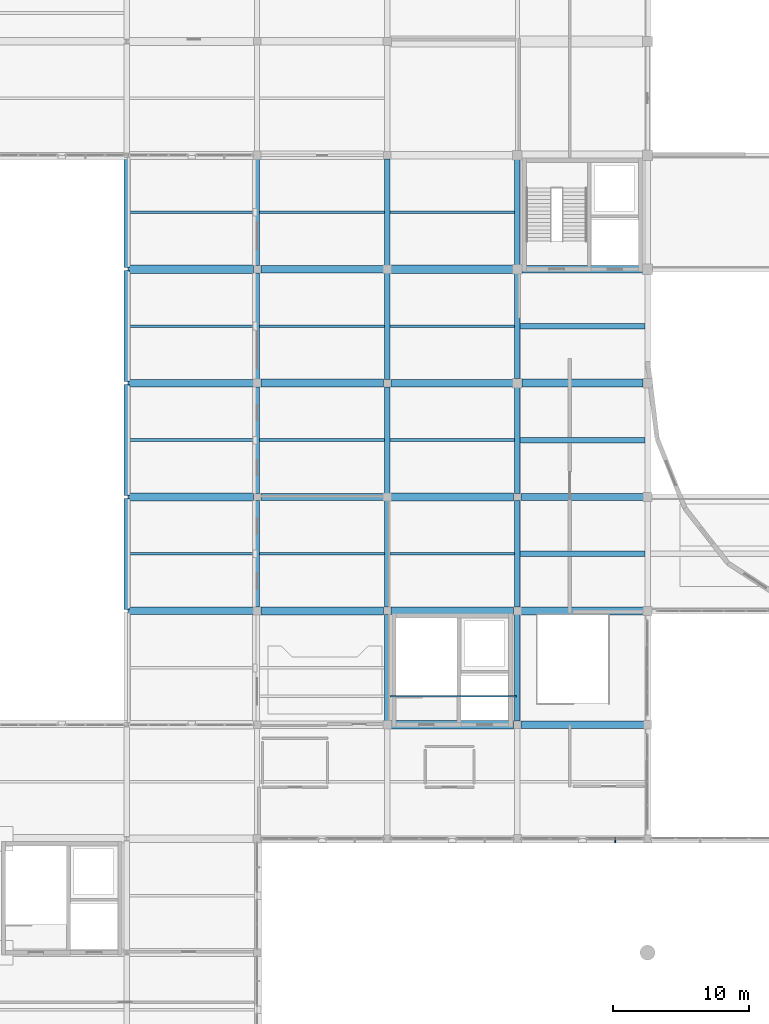
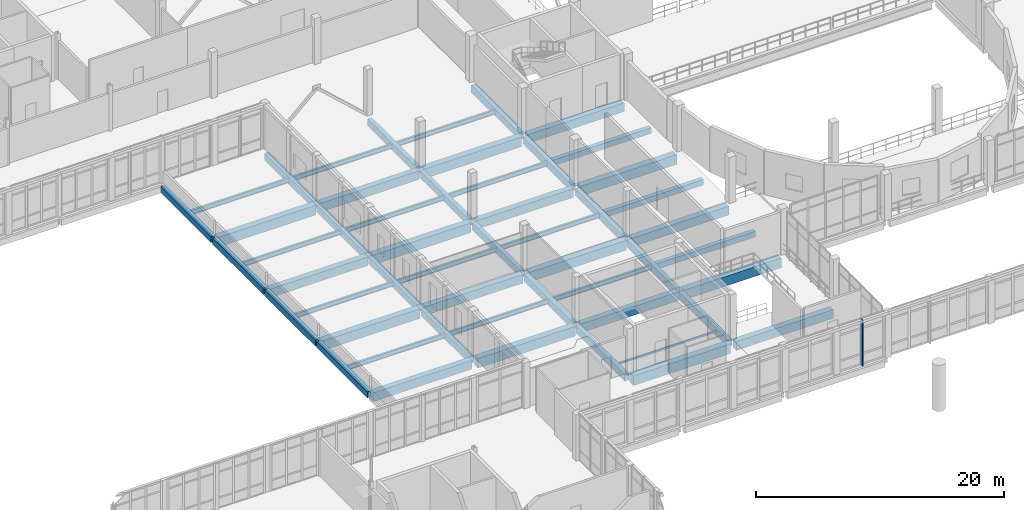
# One storey, part 23 of 88: 52 beams, 1 member, 1 element without a shape of its own.
"""IFC4 building model written with IfcOpenShell, lengths in metres."""

from ifc_helpers import new_model, si_unit, direction, frame, origin, origin_2d, place, context, subcontext, project, spatial, rectangle, hollow_rectangle, i_section, extrude, material, layer, layer_set, material_profile, profile_set, type_object, element, aggregate, save


model = new_model("IFC4")

# Units and contexts
model_context = context("Model", 3, precision=1e-05, world=origin(), true_north=direction((0.0, 1.0)))
body_context = subcontext(model_context, "Body", "Model", "MODEL_VIEW")
ifc_project = project(units=[si_unit("LENGTHUNIT", "METRE"), si_unit("AREAUNIT", "SQUARE_METRE"), si_unit("VOLUMEUNIT", "CUBIC_METRE"), si_unit("PLANEANGLEUNIT", "RADIAN"), si_unit("MASSUNIT", "GRAM", prefix="KILO")], contexts=[model_context])

# Site, building, storey
site_placement = place(None, origin())
site = spatial("IfcSite", under=ifc_project, at=site_placement, CompositionType="ELEMENT")
building_placement = place(site_placement, origin())
building = spatial("IfcBuilding", under=site, at=building_placement, Name="Lornevale Opera House", CompositionType="ELEMENT")
storey_placement = place(building_placement, frame((0.0, 0.0, 10.199951171875)))
storey = spatial("IfcBuildingStorey", under=building, at=storey_placement, Name="L03", CompositionType="ELEMENT", Elevation=10.199951171875)

# Beams
ifc_material_1 = material(Name="Concrete 35 MPa (CSA A23.1 N)", Category="concrete")
ifc_material_profile_1 = material_profile(ifc_material_1, rectangle(XDim=0.39990234375, YDim=0.550048828125, at=origin_2d()), Name="RC400x550")
ifc_profile_set_1 = profile_set([ifc_material_profile_1], Name="Concrete 35 MPa (CSA A23.1 N)")
beam_type_1 = type_object("IfcBeamType", Name="Auditorium Tier Raker Beam 400x550", PredefinedType="JOIST", material=ifc_profile_set_1)
for number, where, z_axis, x_axis, name in (
    (1, (57.800048828125, 37.800048828125, -0.554931640625), (1.0, 0.0, 0.0), (0.0, 1.0, 0.0), "Auditorium Tier Raker Beam 400x550 2407"),
    (2, (57.800048828125, 46.199951171875, -0.554931640625), (1.0, 0.0, 0.0), (0.0, 1.0, 0.0), "Auditorium Tier Raker Beam 400x550 2408"),
    (3, (57.800048828125, 54.60009765625, -0.554931640625), (1.0, 0.0, 0.0), (0.0, 1.0, 0.0), "Auditorium Tier Raker Beam 400x550 2409"),
):
    element("IfcBeam", number, at=place(storey_placement, frame(where, z_axis=z_axis, x_axis=x_axis)), inside=storey, type_object=beam_type_1, Name=name, PredefinedType="JOIST", context=body_context, shape_type="SweptSolid", body=[
        extrude(rectangle(XDim=0.39990234375, YDim=0.550048828125, at=origin_2d()), origin(), (0.0, 0.0, 1.0), 9.199951171875),
    ])
ifc_material_profile_2 = material_profile(ifc_material_1, rectangle(XDim=0.39990234375, YDim=0.699951171875, at=origin_2d()), Name="RC400x700")
ifc_profile_set_2 = profile_set([ifc_material_profile_2], Name="Concrete 35 MPa (CSA A23.1 N)")
beam_type_2 = type_object("IfcBeamType", Name="Concrete Floor Beam 400x700", PredefinedType="USERDEFINED", material=ifc_profile_set_2)
for number, where, z_axis, x_axis, name in (
    (4, (38.39990234375, 33.875, -0.639892578125), (0.0, 1.0, 0.0), (-1.0, 0.0, 0.0), "Concrete Floor Beam 400x700 2261"),
    (5, (38.39990234375, 42.27490234375, -0.639892578125), (0.0, 1.0, 0.0), (-1.0, 0.0, 0.0), "Concrete Floor Beam 400x700 2262"),
):
    element("IfcBeam", number, at=place(storey_placement, frame(where, z_axis=z_axis, x_axis=x_axis)), inside=storey, type_object=beam_type_2, Name=name, ObjectType="GIRDER", PredefinedType="USERDEFINED", context=body_context, shape_type="SweptSolid", body=[
        extrude(rectangle(XDim=0.39990234375, YDim=0.699951171875, at=origin_2d()), origin(), (0.0, 0.0, 1.0), 7.85009765625),
    ])
beam_1_placement = place(storey_placement, frame((38.39990234375, 50.675048828125, -0.639892578125), z_axis=(0.0, 1.0, 0.0), x_axis=(-1.0, 0.0, 0.0)))
element("IfcBeam", 6, at=beam_1_placement, inside=storey, type_object=beam_type_2, Name="Concrete Floor Beam 400x700 2263", ObjectType="GIRDER", PredefinedType="USERDEFINED", context=body_context, shape_type="SweptSolid", body=[
    extrude(rectangle(XDim=0.39990234375, YDim=0.699951171875, at=origin_2d()), origin(), (0.0, 0.0, 1.0), 7.849853515625),
])
beam_2_placement = place(storey_placement, frame((38.39990234375, 59.074951171875, -0.639892578125), z_axis=(0.0, 1.0, 0.0), x_axis=(-1.0, 0.0, 0.0)))
element("IfcBeam", 7, at=beam_2_placement, inside=storey, type_object=beam_type_2, Name="Concrete Floor Beam 400x700 2264", ObjectType="GIRDER", PredefinedType="USERDEFINED", context=body_context, shape_type="SweptSolid", body=[
    extrude(rectangle(XDim=0.39990234375, YDim=0.699951171875, at=origin_2d()), origin(), (0.0, 0.0, 1.0), 7.85009765625),
])
beam_3_placement = place(storey_placement, frame((48.0, 25.47509765625, -0.6298828125), z_axis=(0.0, 1.0, 0.0), x_axis=(-1.0, 0.0, 0.0)))
element("IfcBeam", 8, at=beam_3_placement, inside=storey, type_object=beam_type_2, Name="Concrete Floor Beam 400x700 2270", ObjectType="GIRDER", PredefinedType="USERDEFINED", context=body_context, shape_type="SweptSolid", body=[
    extrude(rectangle(XDim=0.39990234375, YDim=0.699951171875, at=origin_2d()), origin(), (0.0, 0.0, 1.0), 7.849853515625),
])
for number, where, z_axis, x_axis, name in (
    (9, (48.0, 33.875, -0.6298828125), (0.0, 1.0, 0.0), (-1.0, 0.0, 0.0), "Concrete Floor Beam 400x700 2271"),
    (10, (48.0, 42.27490234375, -0.6298828125), (0.0, 1.0, 0.0), (-1.0, 0.0, 0.0), "Concrete Floor Beam 400x700 2272"),
):
    element("IfcBeam", number, at=place(storey_placement, frame(where, z_axis=z_axis, x_axis=x_axis)), inside=storey, type_object=beam_type_2, Name=name, ObjectType="GIRDER", PredefinedType="USERDEFINED", context=body_context, shape_type="SweptSolid", body=[
        extrude(rectangle(XDim=0.39990234375, YDim=0.699951171875, at=origin_2d()), origin(), (0.0, 0.0, 1.0), 7.85009765625),
    ])
beam_4_placement = place(storey_placement, frame((48.0, 50.675048828125, -0.6298828125), z_axis=(0.0, 1.0, 0.0), x_axis=(-1.0, 0.0, 0.0)))
element("IfcBeam", 11, at=beam_4_placement, inside=storey, type_object=beam_type_2, Name="Concrete Floor Beam 400x700 2273", ObjectType="GIRDER", PredefinedType="USERDEFINED", context=body_context, shape_type="SweptSolid", body=[
    extrude(rectangle(XDim=0.39990234375, YDim=0.699951171875, at=origin_2d()), origin(), (0.0, 0.0, 1.0), 7.849853515625),
])
beam_5_placement = place(storey_placement, frame((48.0, 59.074951171875, -0.6298828125), z_axis=(0.0, 1.0, 0.0), x_axis=(-1.0, 0.0, 0.0)))
element("IfcBeam", 12, at=beam_5_placement, inside=storey, type_object=beam_type_2, Name="Concrete Floor Beam 400x700 2274", ObjectType="GIRDER", PredefinedType="USERDEFINED", context=body_context, shape_type="SweptSolid", body=[
    extrude(rectangle(XDim=0.39990234375, YDim=0.699951171875, at=origin_2d()), origin(), (0.0, 0.0, 1.0), 7.85009765625),
])
beam_6_placement = place(storey_placement, frame((57.60009765625, 25.47509765625, -0.6298828125), z_axis=(0.0, 1.0, 0.0), x_axis=(-1.0, 0.0, 0.0)))
element("IfcBeam", 13, at=beam_6_placement, inside=storey, type_object=beam_type_2, Name="Concrete Floor Beam 400x700 2280", ObjectType="GIRDER", PredefinedType="USERDEFINED", context=body_context, shape_type="SweptSolid", body=[
    extrude(rectangle(XDim=0.39990234375, YDim=0.699951171875, at=origin_2d()), origin(), (0.0, 0.0, 1.0), 7.849853515625),
])
beam_7_placement = place(storey_placement, frame((57.60009765625, 33.875, -0.6298828125), z_axis=(0.0, 1.0, 0.0), x_axis=(-1.0, 0.0, 0.0)))
element("IfcBeam", 14, at=beam_7_placement, inside=storey, type_object=beam_type_2, Name="Concrete Floor Beam 400x700 2281", ObjectType="GIRDER", PredefinedType="USERDEFINED", context=body_context, shape_type="SweptSolid", body=[
    extrude(rectangle(XDim=0.39990234375, YDim=0.699951171875, at=origin_2d()), origin(), (0.0, 0.0, 1.0), 7.85009765625),
])
beam_8_placement = place(storey_placement, frame((57.60009765625, 42.27490234375, -0.6298828125), z_axis=(0.0, 1.0, 0.0), x_axis=(-1.0, 0.0, 0.0)))
element("IfcBeam", 15, at=beam_8_placement, inside=storey, type_object=beam_type_2, Name="Concrete Floor Beam 400x700 2282", ObjectType="GIRDER", PredefinedType="USERDEFINED", context=body_context, shape_type="SweptSolid", body=[
    extrude(rectangle(XDim=0.39990234375, YDim=0.699951171875, at=origin_2d()), origin(), (0.0, 0.0, 1.0), 7.800048828125),
])
for number, where, z_axis, x_axis, name in (
    (16, (57.60009765625, 50.72509765625, -0.6298828125), (0.0, 1.0, 0.0), (-1.0, 0.0, 0.0), "Concrete Floor Beam 400x700 2283"),
    (17, (57.60009765625, 59.125, -0.6298828125), (0.0, 1.0, 0.0), (-1.0, 0.0, 0.0), "Concrete Floor Beam 400x700 2284"),
):
    element("IfcBeam", number, at=place(storey_placement, frame(where, z_axis=z_axis, x_axis=x_axis)), inside=storey, type_object=beam_type_2, Name=name, ObjectType="GIRDER", PredefinedType="USERDEFINED", context=body_context, shape_type="SweptSolid", body=[
        extrude(rectangle(XDim=0.39990234375, YDim=0.699951171875, at=origin_2d()), origin(), (0.0, 0.0, 1.0), 7.75),
    ])
ifc_material_profile_3 = material_profile(ifc_material_1, rectangle(XDim=0.550048828125, YDim=0.85009765625, at=origin_2d()), Name="RC550x850")
ifc_profile_set_3 = profile_set([ifc_material_profile_3], Name="Concrete 35 MPa (CSA A23.1 N)")
beam_type_3 = type_object("IfcBeamType", Name="Concrete Primary Girder 550x850", PredefinedType="USERDEFINED", material=ifc_profile_set_3)
beam_9_placement = place(storey_placement, frame((57.875, 25.199951171875, -0.704833984375), z_axis=(1.0, 0.0, 0.0), x_axis=(0.0, 1.0, 0.0)))
element("IfcBeam", 18, at=beam_9_placement, inside=storey, type_object=beam_type_3, Name="Concrete Primary Girder 550x850 2110", ObjectType="GIRDER", PredefinedType="USERDEFINED", context=body_context, shape_type="SweptSolid", body=[
    extrude(rectangle(XDim=0.550048828125, YDim=0.85009765625, at=origin_2d()), origin(), (0.0, 0.0, 1.0), 9.050048828125),
])
beam_10_placement = place(storey_placement, frame((28.904541015625, 33.60009765625, -0.71484375), z_axis=(1.0, 0.0, 0.0), x_axis=(0.0, 1.0, 0.0)))
element("IfcBeam", 19, at=beam_10_placement, inside=storey, type_object=beam_type_3, Name="Concrete Primary Girder 550x850 2117", ObjectType="GIRDER", PredefinedType="USERDEFINED", context=body_context, shape_type="SweptSolid", body=[
    extrude(rectangle(XDim=0.550048828125, YDim=0.85009765625, at=origin_2d()), origin(), (0.0, 0.0, 1.0), 9.220458984375),
])
for number, where, z_axis, x_axis, name in (
    (20, (48.27490234375, 33.60009765625, -0.704833984375), (1.0, 0.0, 0.0), (0.0, 1.0, 0.0), "Concrete Primary Girder 550x850 2119"),
    (21, (38.675048828125, 42.0, -0.71484375), (1.0, 0.0, 0.0), (0.0, 1.0, 0.0), "Concrete Primary Girder 550x850 2131"),
):
    element("IfcBeam", number, at=place(storey_placement, frame(where, z_axis=z_axis, x_axis=x_axis)), inside=storey, type_object=beam_type_3, Name=name, ObjectType="GIRDER", PredefinedType="USERDEFINED", context=body_context, shape_type="SweptSolid", body=[
        extrude(rectangle(XDim=0.550048828125, YDim=0.85009765625, at=origin_2d()), origin(), (0.0, 0.0, 1.0), 9.050048828125),
    ])
beam_11_placement = place(storey_placement, frame((57.875, 42.0, -0.704833984375), z_axis=(1.0, 0.0, 0.0), x_axis=(0.0, 1.0, 0.0)))
element("IfcBeam", 22, at=beam_11_placement, inside=storey, type_object=beam_type_3, Name="Concrete Primary Girder 550x850 2133", ObjectType="GIRDER", PredefinedType="USERDEFINED", context=body_context, shape_type="SweptSolid", body=[
    extrude(rectangle(XDim=0.550048828125, YDim=0.85009765625, at=origin_2d()), origin(), (0.0, 0.0, 1.0), 9.02490234375),
])
beam_12_placement = place(storey_placement, frame((28.904541015625, 50.39990234375, -0.71484375), z_axis=(1.0, 0.0, 0.0), x_axis=(0.0, 1.0, 0.0)))
element("IfcBeam", 23, at=beam_12_placement, inside=storey, type_object=beam_type_3, Name="Concrete Primary Girder 550x850 2143", ObjectType="GIRDER", PredefinedType="USERDEFINED", context=body_context, shape_type="SweptSolid", body=[
    extrude(rectangle(XDim=0.550048828125, YDim=0.85009765625, at=origin_2d()), origin(), (0.0, 0.0, 1.0), 9.220458984375),
])
beam_13_placement = place(storey_placement, frame((48.27490234375, 50.39990234375, -0.704833984375), z_axis=(1.0, 0.0, 0.0), x_axis=(0.0, 1.0, 0.0)))
element("IfcBeam", 24, at=beam_13_placement, inside=storey, type_object=beam_type_3, Name="Concrete Primary Girder 550x850 2145", ObjectType="GIRDER", PredefinedType="USERDEFINED", context=body_context, shape_type="SweptSolid", body=[
    extrude(rectangle(XDim=0.550048828125, YDim=0.85009765625, at=origin_2d()), origin(), (0.0, 0.0, 1.0), 9.0),
])
beam_14_placement = place(storey_placement, frame((38.675048828125, 58.800048828125, -0.71484375), z_axis=(1.0, 0.0, 0.0), x_axis=(0.0, 1.0, 0.0)))
element("IfcBeam", 25, at=beam_14_placement, inside=storey, type_object=beam_type_3, Name="Concrete Primary Girder 550x850 2154", ObjectType="GIRDER", PredefinedType="USERDEFINED", context=body_context, shape_type="SweptSolid", body=[
    extrude(rectangle(XDim=0.550048828125, YDim=0.85009765625, at=origin_2d()), origin(), (0.0, 0.0, 1.0), 9.050048828125),
])
beam_15_placement = place(storey_placement, frame((57.925048828125, 58.800048828125, -0.704833984375), z_axis=(1.0, 0.0, 0.0), x_axis=(0.0, 1.0, 0.0)))
element("IfcBeam", 26, at=beam_15_placement, inside=storey, type_object=beam_type_3, Name="Concrete Primary Girder 550x850 2156", ObjectType="GIRDER", PredefinedType="USERDEFINED", context=body_context, shape_type="SweptSolid", body=[
    extrude(rectangle(XDim=0.550048828125, YDim=0.85009765625, at=origin_2d()), origin(), (0.0, 0.0, 1.0), 8.925048828125),
])
ifc_material_profile_4 = material_profile(ifc_material_1, rectangle(XDim=0.60009765625, YDim=0.949951171875, at=origin_2d()), Name="RC600x950")
ifc_profile_set_4 = profile_set([ifc_material_profile_4], Name="Concrete 35 MPa (CSA A23.1 N)")
beam_type_4 = type_object("IfcBeamType", Name="Concrete Primary Girder 600x950", PredefinedType="USERDEFINED", material=ifc_profile_set_4)
for number, where, z_axis, x_axis, name in (
    (27, (48.27490234375, 25.199951171875, -0.7548828125), (1.0, 0.0, 0.0), (0.0, 1.0, 0.0), "Concrete Primary Girder 600x950 2109"),
    (28, (38.675048828125, 33.60009765625, -0.764892578125), (1.0, 0.0, 0.0), (0.0, 1.0, 0.0), "Concrete Primary Girder 600x950 2118"),
):
    element("IfcBeam", number, at=place(storey_placement, frame(where, z_axis=z_axis, x_axis=x_axis)), inside=storey, type_object=beam_type_4, Name=name, ObjectType="GIRDER", PredefinedType="USERDEFINED", context=body_context, shape_type="SweptSolid", body=[
        extrude(rectangle(XDim=0.60009765625, YDim=0.949951171875, at=origin_2d()), origin(), (0.0, 0.0, 1.0), 9.050048828125),
    ])
beam_16_placement = place(storey_placement, frame((57.875, 33.60009765625, -0.7548828125), z_axis=(1.0, 0.0, 0.0), x_axis=(0.0, 1.0, 0.0)))
element("IfcBeam", 29, at=beam_16_placement, inside=storey, type_object=beam_type_4, Name="Concrete Primary Girder 600x950 2120", ObjectType="GIRDER", PredefinedType="USERDEFINED", context=body_context, shape_type="SweptSolid", body=[
    extrude(rectangle(XDim=0.60009765625, YDim=0.949951171875, at=origin_2d()), origin(), (0.0, 0.0, 1.0), 9.02490234375),
])
beam_17_placement = place(storey_placement, frame((28.904541015625, 42.0, -0.764892578125), z_axis=(1.0, 0.0, 0.0), x_axis=(0.0, 1.0, 0.0)))
element("IfcBeam", 30, at=beam_17_placement, inside=storey, type_object=beam_type_4, Name="Concrete Primary Girder 600x950 2130", ObjectType="GIRDER", PredefinedType="USERDEFINED", context=body_context, shape_type="SweptSolid", body=[
    extrude(rectangle(XDim=0.60009765625, YDim=0.949951171875, at=origin_2d()), origin(), (0.0, 0.0, 1.0), 9.220458984375),
])
for number, where, z_axis, x_axis, name in (
    (31, (48.27490234375, 42.0, -0.7548828125), (1.0, 0.0, 0.0), (0.0, 1.0, 0.0), "Concrete Primary Girder 600x950 2132"),
    (32, (38.675048828125, 50.39990234375, -0.764892578125), (1.0, 0.0, 0.0), (0.0, 1.0, 0.0), "Concrete Primary Girder 600x950 2144"),
):
    element("IfcBeam", number, at=place(storey_placement, frame(where, z_axis=z_axis, x_axis=x_axis)), inside=storey, type_object=beam_type_4, Name=name, ObjectType="GIRDER", PredefinedType="USERDEFINED", context=body_context, shape_type="SweptSolid", body=[
        extrude(rectangle(XDim=0.60009765625, YDim=0.949951171875, at=origin_2d()), origin(), (0.0, 0.0, 1.0), 9.050048828125),
    ])
beam_18_placement = place(storey_placement, frame((57.925048828125, 50.39990234375, -0.7548828125), z_axis=(1.0, 0.0, 0.0), x_axis=(0.0, 1.0, 0.0)))
element("IfcBeam", 33, at=beam_18_placement, inside=storey, type_object=beam_type_4, Name="Concrete Primary Girder 600x950 2146", ObjectType="GIRDER", PredefinedType="USERDEFINED", context=body_context, shape_type="SweptSolid", body=[
    extrude(rectangle(XDim=0.60009765625, YDim=0.949951171875, at=origin_2d()), origin(), (0.0, 0.0, 1.0), 8.949951171875),
])
beam_19_placement = place(storey_placement, frame((28.904541015625, 58.800048828125, -0.764892578125), z_axis=(1.0, 0.0, 0.0), x_axis=(0.0, 1.0, 0.0)))
element("IfcBeam", 34, at=beam_19_placement, inside=storey, type_object=beam_type_4, Name="Concrete Primary Girder 600x950 2153", ObjectType="GIRDER", PredefinedType="USERDEFINED", context=body_context, shape_type="SweptSolid", body=[
    extrude(rectangle(XDim=0.60009765625, YDim=0.949951171875, at=origin_2d()), origin(), (0.0, 0.0, 1.0), 9.220458984375),
])
beam_20_placement = place(storey_placement, frame((48.27490234375, 58.800048828125, -0.7548828125), z_axis=(1.0, 0.0, 0.0), x_axis=(0.0, 1.0, 0.0)))
element("IfcBeam", 35, at=beam_20_placement, inside=storey, type_object=beam_type_4, Name="Concrete Primary Girder 600x950 2155", ObjectType="GIRDER", PredefinedType="USERDEFINED", context=body_context, shape_type="SweptSolid", body=[
    extrude(rectangle(XDim=0.60009765625, YDim=0.949951171875, at=origin_2d()), origin(), (0.0, 0.0, 1.0), 9.0),
])
ifc_material_profile_5 = material_profile(ifc_material_1, rectangle(XDim=0.39990234375, YDim=0.60009765625, at=origin_2d()), Name="RC400x600")
ifc_profile_set_5 = profile_set([ifc_material_profile_5], Name="Concrete 35 MPa (CSA A23.1 N)")
beam_type_5 = type_object("IfcBeamType", Name="Concrete Spandrel Beam 400x600", PredefinedType="SPANDREL", material=ifc_profile_set_5)
for number, where, z_axis, x_axis, name in (
    (36, (28.800048828125, 33.71142578125, -0.58984375), (0.0, 1.0, 0.0), (-1.0, 0.0, 0.0), "Concrete Spandrel Beam 400x600 2249"),
    (37, (28.800048828125, 42.111572265625, -0.58984375), (0.0, 1.0, 0.0), (-1.0, 0.0, 0.0), "Concrete Spandrel Beam 400x600 2250"),
    (38, (28.800048828125, 50.511474609375, -0.58984375), (0.0, 1.0, 0.0), (-1.0, 0.0, 0.0), "Concrete Spandrel Beam 400x600 2251"),
):
    element("IfcBeam", number, at=place(storey_placement, frame(where, z_axis=z_axis, x_axis=x_axis)), inside=storey, type_object=beam_type_5, Name=name, PredefinedType="SPANDREL", context=body_context, shape_type="SweptSolid", body=[
        extrude(rectangle(XDim=0.39990234375, YDim=0.60009765625, at=origin_2d()), origin(), (0.0, 0.0, 1.0), 8.177001953125),
    ])
beam_21_placement = place(storey_placement, frame((28.800048828125, 58.91162109375, -0.58984375), z_axis=(0.0, 1.0, 0.0), x_axis=(-1.0, 0.0, 0.0)))
element("IfcBeam", 39, at=beam_21_placement, inside=storey, type_object=beam_type_5, Name="Concrete Spandrel Beam 400x600 2252", PredefinedType="SPANDREL", context=body_context, shape_type="SweptSolid", body=[
    extrude(rectangle(XDim=0.39990234375, YDim=0.60009765625, at=origin_2d()), origin(), (0.0, 0.0, 1.0), 8.15087890625),
])
ifc_material_2 = material(Name="Structural Steel CSA G40.21 Grade 350W (350 MPa)", Category="steel")
ifc_material_profile_6 = material_profile(ifc_material_2, hollow_rectangle(XDim=0.126953125, YDim=0.177978515625, WallThickness=0.009521484375, at=origin_2d()), Name="HSS178x127x10")
ifc_profile_set_6 = profile_set([ifc_material_profile_6], Name="Structural Steel CSA G40.21 Grade 350W (350 MPa)")
beam_type_6 = type_object("IfcBeamType", Name="Lantern Rafter HSS178x127x10", PredefinedType="JOIST", material=ifc_profile_set_6)
beam_22_placement = place(storey_placement, frame((48.199951171875, 27.300048828125, -0.5), z_axis=(1.0, 0.0, 0.0), x_axis=(0.0, 1.0, 0.0)))
element("IfcBeam", 40, at=beam_22_placement, inside=storey, type_object=beam_type_6, Name="Lantern Rafter HSS178x127x10 3051", PredefinedType="JOIST", context=body_context, shape_type="SweptSolid", body=[
    extrude(hollow_rectangle(XDim=0.126953125, YDim=0.177978515625, WallThickness=0.009521484375, at=origin_2d()), origin(), (0.0, 0.0, 1.0), 9.35009765625),
])

# Curtain wall, member
ifc_material_3 = material(Name="Anodized Oxide-Green Aluminium Framing", Category="aluminium")
ifc_layer = layer(ifc_material_3, 0.219970703125)
ifc_layer_set = layer_set([ifc_layer], Name="Anodized Oxide-Green Aluminium Framing")
curtain_wall_type = type_object("IfcCurtainWallType", Name="Winter-Garden Curtain Wall M1900", PredefinedType="NOTDEFINED", material=ifc_layer_set)
curtain_wall_placement = place(storey_placement, origin())
curtain_wall = element("IfcCurtainWall", 41, at=curtain_wall_placement, inside=storey, type_object=curtain_wall_type, Name="Winter-Garden Curtain Wall M1900 CW-134", PredefinedType="NOTDEFINED")
ifc_material_4 = material(Name="Architectural Bronze Solar Louvre Alloy", Category="metal")
ifc_material_profile_7 = material_profile(ifc_material_4, rectangle(XDim=0.080078125, YDim=0.360107421875, at=origin_2d()), Name="FIN80x360")
ifc_profile_set_7 = profile_set([ifc_material_profile_7], Name="Architectural Bronze Solar Louvre Alloy")
member_type = type_object("IfcMemberType", Name="Solar Shading Fin 80x360", PredefinedType="USERDEFINED", material=ifc_profile_set_7)
member_placement = place(storey_placement, frame((64.804443359375, 16.674072265625, 0.0), z_axis=(0.0, 0.0, 1.0), x_axis=(-1.0, 0.0, 0.0)))
member = element("IfcMember", 42, at=member_placement, type_object=member_type, Name="Solar Shading Fin 80x360 FIN0054", ObjectType="SOLAR FIN", PredefinedType="USERDEFINED", context=body_context, shape_type="SweptSolid", body=[
    extrude(rectangle(XDim=0.080078125, YDim=0.360107421875, at=origin_2d()), origin(), (0.0, 0.0, 1.0), 4.5400390625),
])
aggregate(curtain_wall, [member])

# Beams
ifc_material_profile_8 = material_profile(ifc_material_2, i_section(OverallWidth=0.19189453125, OverallDepth=0.462890625, WebThickness=0.010498046875, FlangeThickness=0.017578125, at=origin_2d()), Name="W460x89")
ifc_profile_set_8 = profile_set([ifc_material_profile_8], Name="Structural Steel CSA G40.21 Grade 350W (350 MPa)")
beam_type_7 = type_object("IfcBeamType", Name="Steel Floor Joist W460x89", PredefinedType="JOIST", material=ifc_profile_set_8)
for number, where, z_axis, x_axis, name in (
    (43, (29.0, 37.800048828125, -0.536376953125), (1.0, 0.0, 0.0), (0.0, 1.0, 0.0), "Steel Floor Joist W460x89 2381"),
    (44, (29.0, 46.199951171875, -0.536376953125), (1.0, 0.0, 0.0), (0.0, 1.0, 0.0), "Steel Floor Joist W460x89 2382"),
    (45, (29.0, 54.60009765625, -0.536376953125), (1.0, 0.0, 0.0), (0.0, 1.0, 0.0), "Steel Floor Joist W460x89 2383"),
    (46, (29.0, 63.0, -0.536376953125), (1.0, 0.0, 0.0), (0.0, 1.0, 0.0), "Steel Floor Joist W460x89 2384"),
    (47, (38.60009765625, 37.800048828125, -0.536376953125), (1.0, 0.0, 0.0), (0.0, 1.0, 0.0), "Steel Floor Joist W460x89 2391"),
    (48, (38.60009765625, 46.199951171875, -0.536376953125), (1.0, 0.0, 0.0), (0.0, 1.0, 0.0), "Steel Floor Joist W460x89 2392"),
    (49, (38.60009765625, 54.60009765625, -0.536376953125), (1.0, 0.0, 0.0), (0.0, 1.0, 0.0), "Steel Floor Joist W460x89 2393"),
    (50, (38.60009765625, 63.0, -0.536376953125), (1.0, 0.0, 0.0), (0.0, 1.0, 0.0), "Steel Floor Joist W460x89 2394"),
    (51, (48.199951171875, 37.800048828125, -0.5263671875), (1.0, 0.0, 0.0), (0.0, 1.0, 0.0), "Steel Floor Joist W460x89 2400"),
    (52, (48.199951171875, 46.199951171875, -0.5263671875), (1.0, 0.0, 0.0), (0.0, 1.0, 0.0), "Steel Floor Joist W460x89 2401"),
    (53, (48.199951171875, 54.60009765625, -0.5263671875), (1.0, 0.0, 0.0), (0.0, 1.0, 0.0), "Steel Floor Joist W460x89 2402"),
    (54, (48.199951171875, 63.0, -0.5263671875), (1.0, 0.0, 0.0), (0.0, 1.0, 0.0), "Steel Floor Joist W460x89 2403"),
):
    element("IfcBeam", number, at=place(storey_placement, frame(where, z_axis=z_axis, x_axis=x_axis)), inside=storey, type_object=beam_type_7, Name=name, PredefinedType="JOIST", context=body_context, shape_type="SweptSolid", body=[
        extrude(i_section(OverallWidth=0.19189453125, OverallDepth=0.462890625, WebThickness=0.010498046875, FlangeThickness=0.017578125, at=origin_2d()), origin(), (0.0, 0.0, 1.0), 9.199951171875),
    ])

save(model, "model.ifc")
